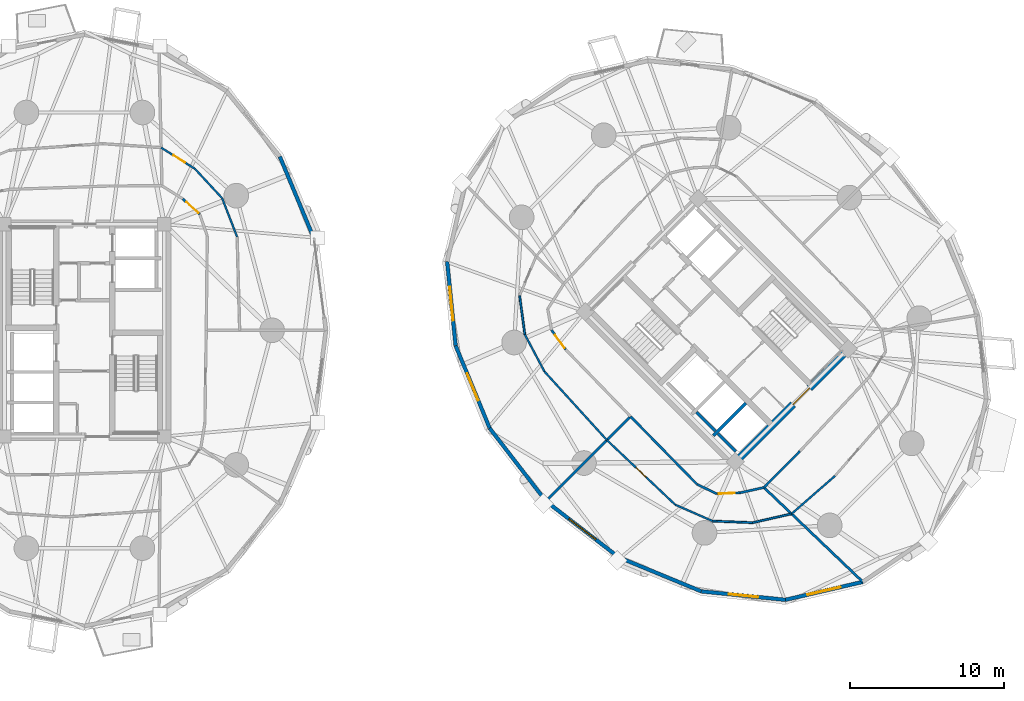
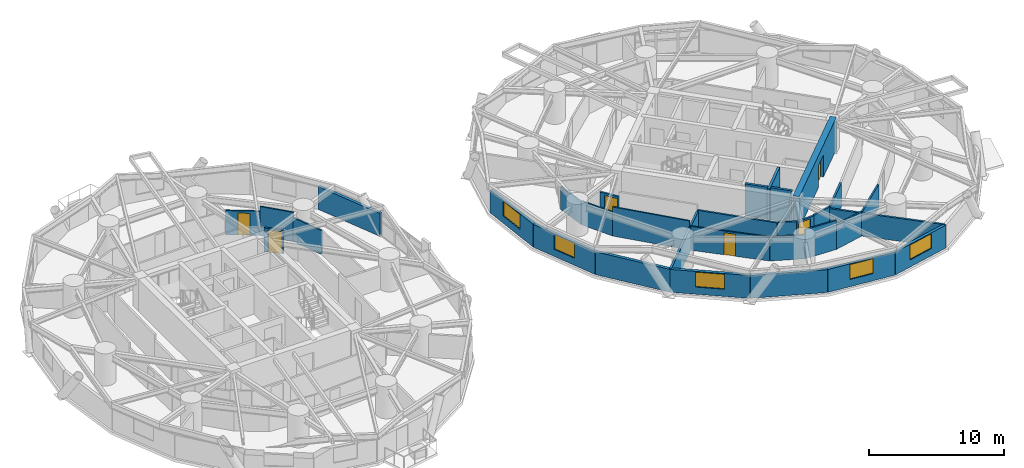
# One storey, part 12 of 18: 32 walls, 6 doors, 5 windows, 11 openings.
"""IFC4 building model written with IfcOpenShell, lengths in metres."""

from ifc_helpers import new_model, si_unit, direction, frame, frame_2d, origin, place, context, subcontext, project, spatial, rectangle, extrude, source, transform, mapped, material, layer, layer_set, type_object, element, fill, save


model = new_model("IFC4")

# Units and contexts
model_context = context("Model", 3, precision=1e-05, world=origin(), true_north=direction((0.0, 1.0)))
body_context = subcontext(model_context, "Body", "Model", "MODEL_VIEW")
ifc_project = project(units=[si_unit("LENGTHUNIT", "METRE"), si_unit("AREAUNIT", "SQUARE_METRE"), si_unit("VOLUMEUNIT", "CUBIC_METRE"), si_unit("PLANEANGLEUNIT", "RADIAN"), si_unit("MASSUNIT", "GRAM", prefix="KILO")], contexts=[model_context])

# Site, building, storey
site_placement = place(None, origin())
site = spatial("IfcSite", under=ifc_project, at=site_placement, CompositionType="ELEMENT")
building_placement = place(site_placement, origin())
building = spatial("IfcBuilding", under=site, at=building_placement, Name="Cununo Teusaquillo Station Towers", CompositionType="ELEMENT")
storey_placement = place(building_placement, frame((0.0, 0.0, 56.919921875)))
storey = spatial("IfcBuildingStorey", under=building, at=storey_placement, Name="L17", CompositionType="ELEMENT", Elevation=56.919921875)

# Walls
ifc_material_1 = material(Name="Concrete C50/60", Category="concrete")
ifc_layer_1 = layer(ifc_material_1, 0.199951171875)
ifc_layer_set_1 = layer_set([ifc_layer_1], Name="Concrete C50/60")
wall_type_1 = type_object("IfcWallType", Name="WL-CORE-200", PredefinedType="SHEAR", material=ifc_layer_set_1)
wall_1_placement = place(storey_placement, frame((57.2841796875, 17.6728515625, 0.0), z_axis=(0.0, 0.0, 1.0), x_axis=(0.707147878904, 0.70706568108, 0.0)))
element("IfcWall", 1, at=wall_1_placement, inside=storey, type_object=wall_type_1, Name="L17 Tower B High-Rise Lift Hoistway Divider Shear Wall", PredefinedType="SHEAR", context=body_context, shape_type="SweptSolid", body=[
    extrude(rectangle(XDim=2.97021484375, YDim=0.199951171875, at=frame_2d((1.485107421875, 0.0))), origin(), (0.0, 0.0, 1.0), 2.91015625),
])
wall_2_placement = place(storey_placement, frame((57.41162109375, 17.969970703125, 0.0), z_axis=(0.0, 0.0, 1.0), x_axis=(-0.707106781187, 0.707106781187, 0.0)))
element("IfcWall", 2, at=wall_2_placement, inside=storey, type_object=wall_type_1, Name="L17 Tower B High-Rise Lift 2 Shaft Rear Shear Wall", PredefinedType="SHEAR", context=body_context, shape_type="SweptSolid", body=[
    extrude(rectangle(XDim=1.73486328125, YDim=0.199951171875, at=frame_2d((0.867431640625, 0.0))), origin(), (0.0, 0.0, 1.0), 2.91015625),
])
wall_3_placement = place(storey_placement, frame((58.7373046875, 16.64404296875, 0.0), z_axis=(0.0, 0.0, 1.0), x_axis=(-0.707032117043, 0.707181437447, 0.0)))
element("IfcWall", 3, at=wall_3_placement, inside=storey, type_object=wall_type_1, Name="L17 Tower B High-Rise Lift 1 Shaft Rear Shear Wall", PredefinedType="SHEAR", context=body_context, shape_type="SweptSolid", body=[
    extrude(rectangle(XDim=1.635009765625, YDim=0.199951171875, at=frame_2d((0.8173828125, 0.0))), origin(), (0.0, 0.0, 1.0), 2.91015625),
])

# Wall, opening, door
ifc_material_2 = material(Name="Concrete C60/75", Category="concrete")
ifc_layer_2 = layer(ifc_material_2, 0.5)
ifc_layer_set_2 = layer_set([ifc_layer_2], Name="Concrete C60/75")
wall_type_2 = type_object("IfcWallType", Name="WL-CORE-500", PredefinedType="SHEAR", material=ifc_layer_set_2)
wall_4_placement = place(storey_placement, frame((58.595947265625, 15.837890625, 0.0), z_axis=(0.0, 0.0, 1.0), x_axis=(0.707106781187, 0.707106781187, 0.0)))
wall_4 = element("IfcWall", 4, at=wall_4_placement, inside=storey, type_object=wall_type_2, Name="L17 Tower B Core Shear Wall S", PredefinedType="SHEAR", context=body_context, shape_type="SweptSolid", body=[
    extrude(rectangle(XDim=10.7001953125, YDim=0.5, at=frame_2d((5.35009765625, 0.0))), origin(), (0.0, 0.0, 1.0), 2.91015625),
])
shared_shape_1 = source(origin(), body_context, "Body", "SweptSolid", [
    extrude(rectangle(XDim=1.5, YDim=2.02001953125, at=frame_2d((0.75, 1.010009765625))), frame((0.0, 0.260009765625, 0.0), z_axis=(0.0, -1.0, 0.0), x_axis=(1.0, 0.0, 0.0)), (0.0, 0.0, 1.0), 0.52001953125),
])
opening_1_placement = place(wall_4_placement, frame((5.449951171875, 0.0, 0.0)))
opening_1 = element("IfcOpeningElement", 5, at=opening_1_placement, cuts=wall_4, Name="Opening D-LB1", PredefinedType="OPENING", context=body_context, shape_type="MappedRepresentation", body=[
    mapped(shared_shape_1, transform((0.0, 0.0, 0.0), x_axis=(1.0, 0.0, 0.0), y_axis=(0.0, 1.0, 0.0), z_axis=(0.0, 0.0, 1.0), scale=1.0)),
])
ifc_material_3 = material(Name="Galvanised fire-rated hollow steel door assembly", Category="steel")
door_type_1 = type_object("IfcDoorType", Name="DR-LOBBY-1500", OperationType="DOUBLE_DOOR_SINGLE_SWING", PredefinedType="DOOR", material=ifc_material_3)
shared_shape_2 = source(origin(), body_context, "Body", "SweptSolid", [
    extrude(rectangle(XDim=1.5, YDim=2.02001953125, at=frame_2d((0.75, 1.010009765625))), frame((0.0, 0.02490234375, 0.0), z_axis=(0.0, -1.0, 0.0), x_axis=(1.0, 0.0, 0.0)), (0.0, 0.0, 1.0), 0.050048828125),
])
door_1_placement = place(opening_1_placement, origin())
door_1 = element("IfcDoor", 6, at=door_1_placement, inside=storey, type_object=door_type_1, Name="L17 Tower B South Core Lift Lobby Door", OperationType="DOUBLE_DOOR_SINGLE_SWING", OverallHeight=2.02001953125, OverallWidth=1.5, PredefinedType="DOOR", context=body_context, shape_type="MappedRepresentation", body=[
    mapped(shared_shape_2, transform((0.0, 0.0, 0.0), x_axis=(1.0, 0.0, 0.0), y_axis=(0.0, 1.0, 0.0), z_axis=(0.0, 0.0, 1.0), scale=1.0)),
])
fill(opening_1, door_1)

# Wall
ifc_material_4 = material(Name="Precast concrete C40/50", Category="concrete")
ifc_layer_3 = layer(ifc_material_4, 0.239990234375)
ifc_layer_set_3 = layer_set([ifc_layer_3], Name="Precast concrete C40/50")
wall_type_3 = type_object("IfcWallType", Name="WL-EXT-240", PredefinedType="SOLIDWALL", material=ifc_layer_set_3)
wall_5_placement = place(storey_placement, frame((29.171630859375, 35.767822265625, 0.0), z_axis=(0.0, 0.0, 1.0), x_axis=(0.384348836956, -0.923187939442, 0.0)))
element("IfcWall", 7, at=wall_5_placement, inside=storey, type_object=wall_type_3, Name="L17 Tower A Exterior Facade Wall C01", PredefinedType="SOLIDWALL", context=body_context, shape_type="SweptSolid", body=[
    extrude(rectangle(XDim=5.78857421875, YDim=0.239990234375, at=frame_2d((2.894287109375, 0.0))), origin(), (0.0, 0.0, 1.0), 2.072998046875),
])

# Wall, opening, window
wall_6_placement = place(storey_placement, frame((40.572265625, 23.50732421875, 0.0), z_axis=(0.0, 0.0, 1.0), x_axis=(-0.100165739718, 0.994970765694, 0.0)))
wall_6 = element("IfcWall", 8, at=wall_6_placement, inside=storey, type_object=wall_type_3, Name="L17 Tower B Exterior Facade Wall C07", PredefinedType="SOLIDWALL", context=body_context, shape_type="SweptSolid", body=[
    extrude(rectangle(XDim=5.476806640625, YDim=0.239990234375, at=frame_2d((2.73828125, 0.0))), origin(), (0.0, 0.0, 1.0), 2.072998046875),
])
shared_shape_3 = source(origin(), body_context, "Body", "SweptSolid", [
    extrude(rectangle(XDim=2.199951171875, YDim=1.35009765625, at=frame_2d((1.10009765625, 0.675048828125))), frame((0.0, 0.1298828125, 0.0), z_axis=(0.0, -1.0, 0.0), x_axis=(1.0, 0.0, 0.0)), (0.0, 0.0, 1.0), 0.260009765625),
])
opening_2_placement = place(wall_6_placement, frame((1.637939453125, 0.0, 0.64990234375)))
opening_2 = element("IfcOpeningElement", 9, at=opening_2_placement, cuts=wall_6, Name="Opening WN-01", PredefinedType="OPENING", context=body_context, shape_type="MappedRepresentation", body=[
    mapped(shared_shape_3, transform((0.0, 0.0, 0.0), x_axis=(1.0, 0.0, 0.0), y_axis=(0.0, 1.0, 0.0), z_axis=(0.0, 0.0, 1.0), scale=1.0)),
])
ifc_material_5 = material(Name="Ceramic-fritted dark low-E double glazing", Category="glass")
window_type_1 = type_object("IfcWindowType", Name="WIN-FRIT-2200", PartitioningType="DOUBLE_PANEL_VERTICAL", PredefinedType="WINDOW", material=ifc_material_5)
shared_shape_4 = source(origin(), body_context, "Body", "SweptSolid", [
    extrude(rectangle(XDim=2.199951171875, YDim=1.35009765625, at=frame_2d((1.10009765625, 0.675048828125))), frame((0.0, 0.030029296875, 0.0), z_axis=(0.0, -1.0, 0.0), x_axis=(1.0, 0.0, 0.0)), (0.0, 0.0, 1.0), 0.06005859375),
])
window_1_placement = place(opening_2_placement, origin())
window_1 = element("IfcWindow", 10, at=window_1_placement, inside=storey, type_object=window_type_1, Name="L17 Tower B Facade Window C07", OverallHeight=1.35009765625, OverallWidth=2.199951171875, PartitioningType="DOUBLE_PANEL_VERTICAL", PredefinedType="WINDOW", context=body_context, shape_type="MappedRepresentation", body=[
    mapped(shared_shape_4, transform((0.0, 0.0, 0.0), x_axis=(1.0, 0.0, 0.0), y_axis=(0.0, 1.0, 0.0), z_axis=(0.0, 0.0, 1.0), scale=1.0)),
])
fill(opening_2, window_1)

wall_7_placement = place(storey_placement, frame((42.77783203125, 18.155517578125, 0.0), z_axis=(0.0, 0.0, 1.0), x_axis=(-0.381027682565, 0.924563629567, 0.0)))
wall_7 = element("IfcWall", 11, at=wall_7_placement, inside=storey, type_object=wall_type_3, Name="L17 Tower B Exterior Facade Wall C08", PredefinedType="SOLIDWALL", context=body_context, shape_type="SweptSolid", body=[
    extrude(rectangle(XDim=5.78857421875, YDim=0.239990234375, at=frame_2d((2.894287109375, 0.0))), origin(), (0.0, 0.0, 1.0), 2.072998046875),
])
shared_shape_5 = source(origin(), body_context, "Body", "SweptSolid", [
    extrude(rectangle(XDim=1.89990234375, YDim=1.35009765625, at=frame_2d((0.949951171875, 0.675048828125))), frame((0.0, 0.1298828125, 0.0), z_axis=(0.0, -1.0, 0.0), x_axis=(1.0, 0.0, 0.0)), (0.0, 0.0, 1.0), 0.260009765625),
])
opening_3_placement = place(wall_7_placement, frame((1.944091796875, 0.0, 0.64990234375)))
opening_3 = element("IfcOpeningElement", 12, at=opening_3_placement, cuts=wall_7, Name="Opening WN-02", PredefinedType="OPENING", context=body_context, shape_type="MappedRepresentation", body=[
    mapped(shared_shape_5, transform((0.0, 0.0, 0.0), x_axis=(1.0, 0.0, 0.0), y_axis=(0.0, 1.0, 0.0), z_axis=(0.0, 0.0, 1.0), scale=1.0)),
])
ifc_material_6 = material(Name="Operable acoustic tinted low-E double glazing", Category="glass")
window_type_2 = type_object("IfcWindowType", Name="WIN-OPER-1900", PartitioningType="DOUBLE_PANEL_VERTICAL", PredefinedType="WINDOW", material=ifc_material_6)
shared_shape_6 = source(origin(), body_context, "Body", "SweptSolid", [
    extrude(rectangle(XDim=1.89990234375, YDim=1.35009765625, at=frame_2d((0.949951171875, 0.675048828125))), frame((0.0, 0.030029296875, 0.0), z_axis=(0.0, -1.0, 0.0), x_axis=(1.0, 0.0, 0.0)), (0.0, 0.0, 1.0), 0.06005859375),
])
window_2_placement = place(opening_3_placement, origin())
window_2 = element("IfcWindow", 13, at=window_2_placement, inside=storey, type_object=window_type_2, Name="L17 Tower B Facade Window C08", OverallHeight=1.35009765625, OverallWidth=1.89990234375, PartitioningType="DOUBLE_PANEL_VERTICAL", PredefinedType="WINDOW", context=body_context, shape_type="MappedRepresentation", body=[
    mapped(shared_shape_6, transform((0.0, 0.0, 0.0), x_axis=(1.0, 0.0, 0.0), y_axis=(0.0, 1.0, 0.0), z_axis=(0.0, 0.0, 1.0), scale=1.0)),
])
fill(opening_3, window_2)

# Wall
wall_8_placement = place(storey_placement, frame((46.424560546875, 13.424560546875, 0.0), z_axis=(0.0, 0.0, 1.0), x_axis=(-0.610502519057, 0.792014314407, 0.0)))
element("IfcWall", 14, at=wall_8_placement, inside=storey, type_object=wall_type_3, Name="L17 Tower B Exterior Facade Wall C09", PredefinedType="SOLIDWALL", context=body_context, shape_type="SweptSolid", body=[
    extrude(rectangle(XDim=5.973388671875, YDim=0.239990234375, at=frame_2d((2.98681640625, 0.0))), origin(), (0.0, 0.0, 1.0), 2.072998046875),
])

# Wall, opening, window
wall_9_placement = place(storey_placement, frame((51.155517578125, 9.77783203125, 0.0), z_axis=(0.0, 0.0, 1.0), x_axis=(-0.792014314407, 0.610502519057, 0.0)))
wall_9 = element("IfcWall", 15, at=wall_9_placement, inside=storey, type_object=wall_type_3, Name="L17 Tower B Exterior Facade Wall C10", PredefinedType="SOLIDWALL", context=body_context, shape_type="SweptSolid", body=[
    extrude(rectangle(XDim=5.973388671875, YDim=0.239990234375, at=frame_2d((2.98681640625, 0.0))), origin(), (0.0, 0.0, 1.0), 2.072998046875),
])
opening_4_placement = place(wall_9_placement, frame((1.886962890625, 0.0, 0.64990234375)))
opening_4 = element("IfcOpeningElement", 16, at=opening_4_placement, cuts=wall_9, Name="Opening WN-01", PredefinedType="OPENING", context=body_context, shape_type="MappedRepresentation", body=[
    mapped(shared_shape_3, transform((0.0, 0.0, 0.0), x_axis=(1.0, 0.0, 0.0), y_axis=(0.0, 1.0, 0.0), z_axis=(0.0, 0.0, 1.0), scale=1.0)),
])
window_3_placement = place(opening_4_placement, origin())
window_3 = element("IfcWindow", 17, at=window_3_placement, inside=storey, type_object=window_type_1, Name="L17 Tower B Facade Window C10", OverallHeight=1.35009765625, OverallWidth=2.199951171875, PartitioningType="DOUBLE_PANEL_VERTICAL", PredefinedType="WINDOW", context=body_context, shape_type="MappedRepresentation", body=[
    mapped(shared_shape_4, transform((0.0, 0.0, 0.0), x_axis=(1.0, 0.0, 0.0), y_axis=(0.0, 1.0, 0.0), z_axis=(0.0, 0.0, 1.0), scale=1.0)),
])
fill(opening_4, window_3)

# Wall
wall_10_placement = place(storey_placement, frame((56.50732421875, 7.572265625, 0.0), z_axis=(0.0, 0.0, 1.0), x_axis=(-0.924563629567, 0.381027682565, 0.0)))
element("IfcWall", 18, at=wall_10_placement, inside=storey, type_object=wall_type_3, Name="L17 Tower B Exterior Facade Wall C11", PredefinedType="SOLIDWALL", context=body_context, shape_type="SweptSolid", body=[
    extrude(rectangle(XDim=5.78857421875, YDim=0.239990234375, at=frame_2d((2.894287109375, 0.0))), origin(), (0.0, 0.0, 1.0), 2.072998046875),
])

# Wall, opening, window
wall_11_placement = place(storey_placement, frame((61.95654296875, 7.023681640625, 0.0), z_axis=(0.0, 0.0, 1.0), x_axis=(-0.994970765694, 0.100165739718, 0.0)))
wall_11 = element("IfcWall", 19, at=wall_11_placement, inside=storey, type_object=wall_type_3, Name="L17 Tower B Exterior Facade Wall C12", PredefinedType="SOLIDWALL", context=body_context, shape_type="SweptSolid", body=[
    extrude(rectangle(XDim=5.476806640625, YDim=0.239990234375, at=frame_2d((2.73828125, 0.0))), origin(), (0.0, 0.0, 1.0), 2.072998046875),
])
opening_5_placement = place(wall_11_placement, frame((1.7880859375, 0.0, 0.64990234375)))
opening_5 = element("IfcOpeningElement", 20, at=opening_5_placement, cuts=wall_11, Name="Opening WN-02", PredefinedType="OPENING", context=body_context, shape_type="MappedRepresentation", body=[
    mapped(shared_shape_5, transform((0.0, 0.0, 0.0), x_axis=(1.0, 0.0, 0.0), y_axis=(0.0, 1.0, 0.0), z_axis=(0.0, 0.0, 1.0), scale=1.0)),
])
window_4_placement = place(opening_5_placement, origin())
window_4 = element("IfcWindow", 21, at=window_4_placement, inside=storey, type_object=window_type_2, Name="L17 Tower B Facade Window C12", OverallHeight=1.35009765625, OverallWidth=1.89990234375, PartitioningType="DOUBLE_PANEL_VERTICAL", PredefinedType="WINDOW", context=body_context, shape_type="MappedRepresentation", body=[
    mapped(shared_shape_6, transform((0.0, 0.0, 0.0), x_axis=(1.0, 0.0, 0.0), y_axis=(0.0, 1.0, 0.0), z_axis=(0.0, 0.0, 1.0), scale=1.0)),
])
fill(opening_5, window_4)

wall_12_placement = place(storey_placement, frame((66.969482421875, 8.185791015625, 0.0), z_axis=(0.0, 0.0, 1.0), x_axis=(-0.974166016949, -0.225833060959, 0.0)))
wall_12 = element("IfcWall", 22, at=wall_12_placement, inside=storey, type_object=wall_type_3, Name="L17 Tower B Exterior Facade Wall C13", PredefinedType="SOLIDWALL", context=body_context, shape_type="SweptSolid", body=[
    extrude(rectangle(XDim=5.14599609375, YDim=0.239990234375, at=frame_2d((2.572998046875, 0.0))), origin(), (0.0, 0.0, 1.0), 2.072998046875),
])
opening_6_placement = place(wall_12_placement, frame((1.472900390625, 0.0, 0.64990234375)))
opening_6 = element("IfcOpeningElement", 23, at=opening_6_placement, cuts=wall_12, Name="Opening WN-01", PredefinedType="OPENING", context=body_context, shape_type="MappedRepresentation", body=[
    mapped(shared_shape_3, transform((0.0, 0.0, 0.0), x_axis=(1.0, 0.0, 0.0), y_axis=(0.0, 1.0, 0.0), z_axis=(0.0, 0.0, 1.0), scale=1.0)),
])
window_5_placement = place(opening_6_placement, origin())
window_5 = element("IfcWindow", 24, at=window_5_placement, inside=storey, type_object=window_type_1, Name="L17 Tower B Facade Window C13", OverallHeight=1.35009765625, OverallWidth=2.199951171875, PartitioningType="DOUBLE_PANEL_VERTICAL", PredefinedType="WINDOW", context=body_context, shape_type="MappedRepresentation", body=[
    mapped(shared_shape_4, transform((0.0, 0.0, 0.0), x_axis=(1.0, 0.0, 0.0), y_axis=(0.0, 1.0, 0.0), z_axis=(0.0, 0.0, 1.0), scale=1.0)),
])
fill(opening_6, window_5)

# Walls
ifc_material_7 = material(Name="Fire-rated gypsum plasterboard partition assembly", Category="gypsum")
ifc_layer_4 = layer(ifc_material_7, 0.125)
ifc_layer_set_4 = layer_set([ifc_layer_4], Name="Fire-rated gypsum plasterboard partition assembly")
wall_type_4 = type_object("IfcWallType", Name="WL-PART-125", PredefinedType="PARTITIONING", material=ifc_layer_set_4)
wall_13_placement = place(storey_placement, frame((26.4033203125, 30.55908203125, 0.0), z_axis=(0.0, 0.0, 1.0), x_axis=(-0.361637165216, 0.932318915787, 0.0)))
element("IfcWall", 25, at=wall_13_placement, inside=storey, type_object=wall_type_4, Name="L17 Tower A Hotel Sky Conservatory Lounge Concentric Partition Wall C01", PredefinedType="PARTITIONING", context=body_context, shape_type="SweptSolid", body=[
    extrude(rectangle(XDim=2.6943359375, YDim=0.125, at=frame_2d((1.34716796875, 0.0))), origin(), (0.0, 0.0, 1.0), 2.1591796875),
])
wall_14_placement = place(storey_placement, frame((25.428955078125, 33.071044921875, 0.0), z_axis=(0.0, 0.0, 1.0), x_axis=(-0.679623863187, 0.733560770889, 0.0)))
element("IfcWall", 26, at=wall_14_placement, inside=storey, type_object=wall_type_4, Name="L17 Tower A Hotel Sky Conservatory Lounge Concentric Partition Wall C02", PredefinedType="PARTITIONING", context=body_context, shape_type="SweptSolid", body=[
    extrude(rectangle(XDim=2.59375, YDim=0.125, at=frame_2d((1.296875, 0.0))), origin(), (0.0, 0.0, 1.0), 2.635009765625),
])

# Wall, opening, door
wall_15_placement = place(storey_placement, frame((23.666259765625, 34.9736328125, 0.0), z_axis=(0.0, 0.0, 1.0), x_axis=(-0.847319394731, 0.531083650014, 0.0)))
wall_15 = element("IfcWall", 27, at=wall_15_placement, inside=storey, type_object=wall_type_4, Name="L17 Tower A Hotel Sky Conservatory Lounge Concentric Partition Wall C03", PredefinedType="PARTITIONING", context=body_context, shape_type="SweptSolid", body=[
    extrude(rectangle(XDim=2.588623046875, YDim=0.125, at=frame_2d((1.29443359375, 0.0))), origin(), (0.0, 0.0, 1.0), 2.205078125),
])
shared_shape_7 = source(origin(), body_context, "Body", "SweptSolid", [
    extrude(rectangle(XDim=0.89990234375, YDim=2.0048828125, at=frame_2d((0.449951171875, 1.00244140625))), frame((0.0, 0.072509765625, 0.0), z_axis=(0.0, -1.0, 0.0), x_axis=(1.0, 0.0, 0.0)), (0.0, 0.0, 1.0), 0.14501953125),
])
opening_7_placement = place(wall_15_placement, frame((0.75390625, 0.0, 0.0)))
opening_7 = element("IfcOpeningElement", 28, at=opening_7_placement, cuts=wall_15, Name="Opening D-IN1", PredefinedType="OPENING", context=body_context, shape_type="MappedRepresentation", body=[
    mapped(shared_shape_7, transform((0.0, 0.0, 0.0), x_axis=(1.0, 0.0, 0.0), y_axis=(0.0, 1.0, 0.0), z_axis=(0.0, 0.0, 1.0), scale=1.0)),
])
ifc_material_8 = material(Name="Acoustic solid-core hardwood leaf assembly", Category="wood")
door_type_2 = type_object("IfcDoorType", Name="DR-INT-900", OperationType="NOTDEFINED", PredefinedType="DOOR", material=ifc_material_8)
shared_shape_8 = source(origin(), body_context, "Body", "SweptSolid", [
    extrude(rectangle(XDim=0.89990234375, YDim=2.0048828125, at=frame_2d((0.449951171875, 1.00244140625))), frame((0.0, 0.02490234375, 0.0), z_axis=(0.0, -1.0, 0.0), x_axis=(1.0, 0.0, 0.0)), (0.0, 0.0, 1.0), 0.050048828125),
])
door_2_placement = place(opening_7_placement, origin())
door_2 = element("IfcDoor", 29, at=door_2_placement, inside=storey, type_object=door_type_2, Name="L17 Tower A Hotel Sky Conservatory Lounge Connecting Door", OperationType="SINGLE_SWING_LEFT", OverallHeight=2.0048828125, OverallWidth=0.89990234375, PredefinedType="DOOR", context=body_context, shape_type="MappedRepresentation", body=[
    mapped(shared_shape_8, transform((0.0, 0.0, 0.0), x_axis=(1.0, 0.0, 0.0), y_axis=(0.0, 1.0, 0.0), z_axis=(0.0, 0.0, 1.0), scale=1.0)),
])
fill(opening_7, door_2)

# Walls
wall_16_placement = place(storey_placement, frame((44.723388671875, 26.741943359375, 0.0), z_axis=(0.0, 0.0, 1.0), x_axis=(0.132397420602, -0.991196712574, 0.0)))
element("IfcWall", 30, at=wall_16_placement, inside=storey, type_object=wall_type_4, Name="L17 Tower B Hotel Concierge & Library Club Concentric Partition Wall C07", PredefinedType="PARTITIONING", context=body_context, shape_type="SweptSolid", body=[
    extrude(rectangle(XDim=2.53173828125, YDim=0.125, at=frame_2d((1.265869140625, 0.0))), origin(), (0.0, 0.0, 1.0), 2.072998046875),
])
wall_17_placement = place(storey_placement, frame((45.05859375, 24.232421875, 0.0), z_axis=(0.0, 0.0, 1.0), x_axis=(0.467739245961, -0.883866504506, 0.0)))
element("IfcWall", 31, at=wall_17_placement, inside=storey, type_object=wall_type_4, Name="L17 Tower B Hotel Concierge & Library Club Concentric Partition Wall C08", PredefinedType="PARTITIONING", context=body_context, shape_type="SweptSolid", body=[
    extrude(rectangle(XDim=2.719970703125, YDim=0.125, at=frame_2d((1.35986328125, 0.0))), origin(), (0.0, 0.0, 1.0), 2.1591796875),
])
wall_18_placement = place(storey_placement, frame((46.330810546875, 21.828369140625, 0.0), z_axis=(0.0, 0.0, 1.0), x_axis=(0.673296785471, -0.739372327501, 0.0)))
element("IfcWall", 32, at=wall_18_placement, inside=storey, type_object=wall_type_4, Name="L17 Tower B Hotel Concierge & Library Club Concentric Partition Wall C09", PredefinedType="PARTITIONING", context=body_context, shape_type="SweptSolid", body=[
    extrude(rectangle(XDim=6.01513671875, YDim=0.125, at=frame_2d((3.007568359375, 0.0))), origin(), (0.0, 0.0, 1.0), 2.635009765625),
])

# Wall, opening, door
wall_19_placement = place(storey_placement, frame((50.380859375, 17.380859375, 0.0), z_axis=(0.0, 0.0, 1.0), x_axis=(0.726536500488, -0.687127872712, 0.0)))
wall_19 = element("IfcWall", 33, at=wall_19_placement, inside=storey, type_object=wall_type_4, Name="L17 Tower B Hotel Executive Conference Salon Concentric Partition Wall C10", PredefinedType="PARTITIONING", context=body_context, shape_type="SweptSolid", body=[
    extrude(rectangle(XDim=6.095947265625, YDim=0.125, at=frame_2d((3.0478515625, 0.0))), origin(), (0.0, 0.0, 1.0), 2.1591796875),
])
opening_8_placement = place(wall_19_placement, frame((2.597900390625, 0.0, 0.0)))
opening_8 = element("IfcOpeningElement", 34, at=opening_8_placement, cuts=wall_19, Name="Opening D-IN1", PredefinedType="OPENING", context=body_context, shape_type="MappedRepresentation", body=[
    mapped(shared_shape_7, transform((0.0, 0.0, 0.0), x_axis=(1.0, 0.0, 0.0), y_axis=(0.0, 1.0, 0.0), z_axis=(0.0, 0.0, 1.0), scale=1.0)),
])
door_3_placement = place(opening_8_placement, origin())
door_3 = element("IfcDoor", 35, at=door_3_placement, inside=storey, type_object=door_type_2, Name="L17 Tower B Hotel Executive Conference Salon Connecting Door", OperationType="SINGLE_SWING_LEFT", OverallHeight=2.0048828125, OverallWidth=0.89990234375, PredefinedType="DOOR", context=body_context, shape_type="MappedRepresentation", body=[
    mapped(shared_shape_8, transform((0.0, 0.0, 0.0), x_axis=(1.0, 0.0, 0.0), y_axis=(0.0, 1.0, 0.0), z_axis=(0.0, 0.0, 1.0), scale=1.0)),
])
fill(opening_8, door_3)

# Walls
wall_20_placement = place(storey_placement, frame((54.809814453125, 13.192138671875, 0.0), z_axis=(0.0, 0.0, 1.0), x_axis=(0.91595798127, -0.40127419123, 0.0)))
element("IfcWall", 36, at=wall_20_placement, inside=storey, type_object=wall_type_4, Name="L17 Tower B Hotel Executive Conference Salon Concentric Partition Wall C11", PredefinedType="PARTITIONING", context=body_context, shape_type="SweptSolid", body=[
    extrude(rectangle(XDim=2.6435546875, YDim=0.125, at=frame_2d((1.32177734375, 0.0))), origin(), (0.0, 0.0, 1.0), 2.1591796875),
])
wall_21_placement = place(storey_placement, frame((57.231201171875, 12.13134765625, 0.0), z_axis=(0.0, 0.0, 1.0), x_axis=(0.999171636131, -0.040694490436, 0.0)))
element("IfcWall", 37, at=wall_21_placement, inside=storey, type_object=wall_type_4, Name="L17 Tower B Hotel Executive Conference Salon Concentric Partition Wall C12", PredefinedType="PARTITIONING", context=body_context, shape_type="SweptSolid", body=[
    extrude(rectangle(XDim=2.603759765625, YDim=0.125, at=frame_2d((1.3017578125, 0.0))), origin(), (0.0, 0.0, 1.0), 2.635009765625),
])
wall_22_placement = place(storey_placement, frame((59.832763671875, 12.025390625, 0.0), z_axis=(0.0, 0.0, 1.0), x_axis=(0.975011214108, 0.222155648959, 0.0)))
element("IfcWall", 38, at=wall_22_placement, inside=storey, type_object=wall_type_4, Name="L17 Tower B Hotel Executive Conference Salon Concentric Partition Wall C13", PredefinedType="PARTITIONING", context=body_context, shape_type="SweptSolid", body=[
    extrude(rectangle(XDim=2.5859375, YDim=0.125, at=frame_2d((1.29296875, 0.0))), origin(), (0.0, 0.0, 1.0), 2.205078125),
])
wall_23_placement = place(storey_placement, frame((62.35400390625, 12.599853515625, 0.0), z_axis=(0.0, 0.0, 1.0), x_axis=(0.75329750535, 0.657679913357, 0.0)))
element("IfcWall", 39, at=wall_23_placement, inside=storey, type_object=wall_type_4, Name="L17 Tower B Hotel Housekeeping & Linen Pantry Concentric Partition Wall C14", PredefinedType="PARTITIONING", context=body_context, shape_type="SweptSolid", body=[
    extrude(rectangle(XDim=3.75341796875, YDim=0.125, at=frame_2d((1.876708984375, 0.0))), origin(), (0.0, 0.0, 1.0), 2.1591796875),
])

# Wall, opening, door
ifc_material_9 = material(Name="Fire-rated gypsum plasterboard partition assembly", Category="gypsum")
ifc_layer_5 = layer(ifc_material_9, 0.14990234375)
ifc_layer_set_5 = layer_set([ifc_layer_5], Name="Fire-rated gypsum plasterboard partition assembly")
wall_type_5 = type_object("IfcWallType", Name="WL-PART-150", PredefinedType="PARTITIONING", material=ifc_layer_set_5)
wall_24_placement = place(storey_placement, frame((23.979736328125, 32.02685546875, 0.0), z_axis=(0.0, 0.0, 1.0), x_axis=(-0.742353224332, 0.670008724065, 0.0)))
wall_24 = element("IfcWall", 40, at=wall_24_placement, inside=storey, type_object=wall_type_5, Name="L17 Tower A Corridor Ring Wall C02", PredefinedType="PARTITIONING", context=body_context, shape_type="SweptSolid", body=[
    extrude(rectangle(XDim=1.48486328125, YDim=0.14990234375, at=frame_2d((0.742431640625, 0.0))), origin(), (0.0, 0.0, 1.0), 2.1591796875),
])
shared_shape_9 = source(origin(), body_context, "Body", "SweptSolid", [
    extrude(rectangle(XDim=1.050048828125, YDim=2.014892578125, at=frame_2d((0.52490234375, 1.00732421875))), frame((0.0, 0.0849609375, 0.0), z_axis=(0.0, -1.0, 0.0), x_axis=(1.0, 0.0, 0.0)), (0.0, 0.0, 1.0), 0.169921875),
])
opening_9_placement = place(wall_24_placement, frame((0.1201171875, 0.0, 0.0)))
opening_9 = element("IfcOpeningElement", 41, at=opening_9_placement, cuts=wall_24, Name="Opening D-SU1", PredefinedType="OPENING", context=body_context, shape_type="MappedRepresentation", body=[
    mapped(shared_shape_9, transform((0.0, 0.0, 0.0), x_axis=(1.0, 0.0, 0.0), y_axis=(0.0, 1.0, 0.0), z_axis=(0.0, 0.0, 1.0), scale=1.0)),
])
ifc_material_10 = material(Name="Acoustic solid-core hardwood leaf assembly", Category="wood")
door_type_3 = type_object("IfcDoorType", Name="DR-SUITE-1050", OperationType="NOTDEFINED", PredefinedType="DOOR", material=ifc_material_10)
shared_shape_10 = source(origin(), body_context, "Body", "SweptSolid", [
    extrude(rectangle(XDim=1.050048828125, YDim=2.014892578125, at=frame_2d((0.52490234375, 1.00732421875))), frame((0.0, 0.02490234375, 0.0), z_axis=(0.0, -1.0, 0.0), x_axis=(1.0, 0.0, 0.0)), (0.0, 0.0, 1.0), 0.050048828125),
])
door_4_placement = place(opening_9_placement, origin())
door_4 = element("IfcDoor", 42, at=door_4_placement, inside=storey, type_object=door_type_3, Name="L17 Tower A Hotel Sky Conservatory Lounge Entrance Door", OperationType="SINGLE_SWING_RIGHT", OverallHeight=2.014892578125, OverallWidth=1.050048828125, PredefinedType="DOOR", context=body_context, shape_type="MappedRepresentation", body=[
    mapped(shared_shape_10, transform((0.0, 0.0, 0.0), x_axis=(1.0, 0.0, 0.0), y_axis=(0.0, 1.0, 0.0), z_axis=(0.0, 0.0, 1.0), scale=1.0)),
])
fill(opening_9, door_4)

wall_25_placement = place(storey_placement, frame((46.79541015625, 24.512939453125, 0.0), z_axis=(0.0, 0.0, 1.0), x_axis=(0.585628197524, -0.810579801294, 0.0)))
wall_25 = element("IfcWall", 43, at=wall_25_placement, inside=storey, type_object=wall_type_5, Name="L17 Tower B Corridor Ring Wall C08", PredefinedType="PARTITIONING", context=body_context, shape_type="SweptSolid", body=[
    extrude(rectangle(XDim=1.55419921875, YDim=0.14990234375, at=frame_2d((0.777099609375, 0.0))), origin(), (0.0, 0.0, 1.0), 2.205078125),
])
opening_10_placement = place(wall_25_placement, frame((0.384033203125, 0.0, 0.0)))
opening_10 = element("IfcOpeningElement", 44, at=opening_10_placement, cuts=wall_25, Name="Opening D-SU1", PredefinedType="OPENING", context=body_context, shape_type="MappedRepresentation", body=[
    mapped(shared_shape_9, transform((0.0, 0.0, 0.0), x_axis=(1.0, 0.0, 0.0), y_axis=(0.0, 1.0, 0.0), z_axis=(0.0, 0.0, 1.0), scale=1.0)),
])
door_5_placement = place(opening_10_placement, origin())
door_5 = element("IfcDoor", 45, at=door_5_placement, inside=storey, type_object=door_type_3, Name="L17 Tower B Hotel Concierge & Library Club Entrance Door", OperationType="SINGLE_SWING_RIGHT", OverallHeight=2.014892578125, OverallWidth=1.050048828125, PredefinedType="DOOR", context=body_context, shape_type="MappedRepresentation", body=[
    mapped(shared_shape_10, transform((0.0, 0.0, 0.0), x_axis=(1.0, 0.0, 0.0), y_axis=(0.0, 1.0, 0.0), z_axis=(0.0, 0.0, 1.0), scale=1.0)),
])
fill(opening_10, door_5)

# Walls
wall_26_placement = place(storey_placement, frame((51.913818359375, 18.913818359375, 0.0), z_axis=(0.0, 0.0, 1.0), x_axis=(0.699999313799, -0.714143515465, 0.0)))
element("IfcWall", 46, at=wall_26_placement, inside=storey, type_object=wall_type_5, Name="L17 Tower B Corridor Ring Wall C10", PredefinedType="PARTITIONING", context=body_context, shape_type="SweptSolid", body=[
    extrude(rectangle(XDim=6.162109375, YDim=0.14990234375, at=frame_2d((3.0810546875, 0.0))), origin(), (0.0, 0.0, 1.0), 2.1591796875),
])
wall_27_placement = place(storey_placement, frame((56.227294921875, 14.51318359375, 0.0), z_axis=(0.0, 0.0, 1.0), x_axis=(0.901477579283, -0.432825801044, 0.0)))
element("IfcWall", 47, at=wall_27_placement, inside=storey, type_object=wall_type_5, Name="L17 Tower B Corridor Ring Wall C11", PredefinedType="PARTITIONING", context=body_context, shape_type="SweptSolid", body=[
    extrude(rectangle(XDim=1.42431640625, YDim=0.14990234375, at=frame_2d((0.712158203125, 0.0))), origin(), (0.0, 0.0, 1.0), 2.205078125),
])

# Wall, opening, door
wall_28_placement = place(storey_placement, frame((57.51123046875, 13.896728515625, 0.0), z_axis=(0.0, 0.0, 1.0), x_axis=(0.999024538494, 0.044158481476, 0.0)))
wall_28 = element("IfcWall", 48, at=wall_28_placement, inside=storey, type_object=wall_type_5, Name="L17 Tower B Corridor Ring Wall C12", PredefinedType="PARTITIONING", context=body_context, shape_type="SweptSolid", body=[
    extrude(rectangle(XDim=1.498291015625, YDim=0.14990234375, at=frame_2d((0.7490234375, 0.0))), origin(), (0.0, 0.0, 1.0), 2.1591796875),
])
opening_11_placement = place(wall_28_placement, frame((0.1201171875, 0.0, 0.0)))
opening_11 = element("IfcOpeningElement", 49, at=opening_11_placement, cuts=wall_28, Name="Opening D-SU1", PredefinedType="OPENING", context=body_context, shape_type="MappedRepresentation", body=[
    mapped(shared_shape_9, transform((0.0, 0.0, 0.0), x_axis=(1.0, 0.0, 0.0), y_axis=(0.0, 1.0, 0.0), z_axis=(0.0, 0.0, 1.0), scale=1.0)),
])
door_6_placement = place(opening_11_placement, origin())
door_6 = element("IfcDoor", 50, at=door_6_placement, inside=storey, type_object=door_type_3, Name="L17 Tower B Hotel Executive Conference Salon Entrance Door", OperationType="SINGLE_SWING_RIGHT", OverallHeight=2.014892578125, OverallWidth=1.050048828125, PredefinedType="DOOR", context=body_context, shape_type="MappedRepresentation", body=[
    mapped(shared_shape_10, transform((0.0, 0.0, 0.0), x_axis=(1.0, 0.0, 0.0), y_axis=(0.0, 1.0, 0.0), z_axis=(0.0, 0.0, 1.0), scale=1.0)),
])
fill(opening_11, door_6)

# Walls
wall_29_placement = place(storey_placement, frame((59.008056640625, 13.962890625, 0.0), z_axis=(0.0, 0.0, 1.0), x_axis=(0.976020856791, 0.21767702476, 0.0)))
element("IfcWall", 51, at=wall_29_placement, inside=storey, type_object=wall_type_5, Name="L17 Tower B Corridor Ring Wall C13", PredefinedType="PARTITIONING", context=body_context, shape_type="SweptSolid", body=[
    extrude(rectangle(XDim=1.592529296875, YDim=0.14990234375, at=frame_2d((0.79638671875, 0.0))), origin(), (0.0, 0.0, 1.0), 2.205078125),
])
wall_30_placement = place(storey_placement, frame((60.5625, 14.3095703125, 0.0), z_axis=(0.0, 0.0, 1.0), x_axis=(0.704566236161, 0.709638230975, 0.0)))
element("IfcWall", 52, at=wall_30_placement, inside=storey, type_object=wall_type_5, Name="L17 Tower B Corridor Ring Wall C14", PredefinedType="PARTITIONING", context=body_context, shape_type="SweptSolid", body=[
    extrude(rectangle(XDim=3.3212890625, YDim=0.14990234375, at=frame_2d((1.66064453125, 0.0))), origin(), (0.0, 0.0, 1.0), 2.1591796875),
])
ifc_material_11 = material(Name="Fire-rated gypsum plasterboard partition assembly", Category="gypsum")
ifc_layer_6 = layer(ifc_material_11, 0.159912109375)
ifc_layer_set_6 = layer_set([ifc_layer_6], Name="Fire-rated gypsum plasterboard partition assembly")
wall_type_6 = type_object("IfcWallType", Name="WL-PART-160", PredefinedType="PARTITIONING", material=ifc_layer_set_6)
wall_31_placement = place(storey_placement, frame((51.913818359375, 18.913818359375, 0.0), z_axis=(0.0, 0.0, 1.0), x_axis=(-0.707106781187, -0.707106781187, 0.0)))
element("IfcWall", 53, at=wall_31_placement, inside=storey, type_object=wall_type_6, Name="L17 Tower B Radial Suite Partition R04", PredefinedType="PARTITIONING", context=body_context, shape_type="SweptSolid", body=[
    extrude(rectangle(XDim=7.742919921875, YDim=0.159912109375, at=frame_2d((3.87158203125, 0.0))), origin(), (0.0, 0.0, 1.0), 2.072998046875),
])
wall_32_placement = place(storey_placement, frame((60.5625, 14.3095703125, 0.0), z_axis=(0.0, 0.0, 1.0), x_axis=(0.723408813637, -0.690419936236, 0.0)))
element("IfcWall", 54, at=wall_32_placement, inside=storey, type_object=wall_type_6, Name="L17 Tower B Radial Suite Partition R05", PredefinedType="PARTITIONING", context=body_context, shape_type="SweptSolid", body=[
    extrude(rectangle(XDim=8.84375, YDim=0.159912109375, at=frame_2d((4.421875, 0.0))), origin(), (0.0, 0.0, 1.0), 2.072998046875),
])

save(model, "model.ifc")
